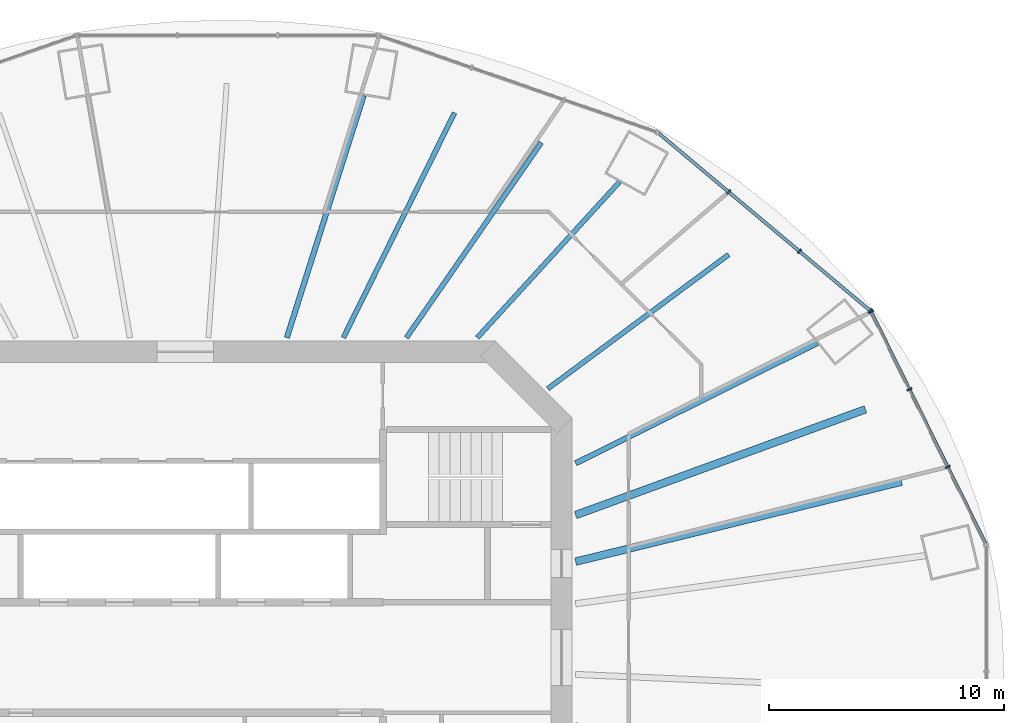
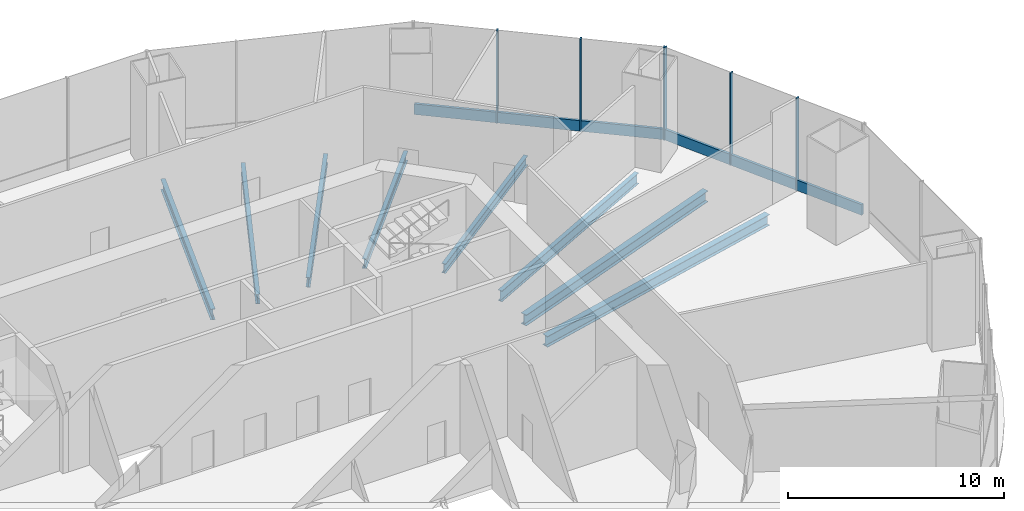
# One storey, part 6 of 15: 8 beams, 8 members, 2 elements without a shape of their own.
"""IFC4 building model written with IfcOpenShell, lengths in metres."""

from ifc_helpers import new_model, si_unit, direction, frame, origin, origin_2d, place, context, subcontext, project, spatial, rectangle, i_section, extrude, material, material_profile, profile_set, type_object, element, aggregate, save


model = new_model("IFC4")

# Units and contexts
model_context = context("Model", 3, precision=1e-05, world=origin(), true_north=direction((0.0, 1.0)))
body_context = subcontext(model_context, "Body", "Model", "MODEL_VIEW")
ifc_project = project(units=[si_unit("LENGTHUNIT", "METRE"), si_unit("AREAUNIT", "SQUARE_METRE"), si_unit("VOLUMEUNIT", "CUBIC_METRE"), si_unit("PLANEANGLEUNIT", "RADIAN"), si_unit("MASSUNIT", "GRAM", prefix="KILO")], contexts=[model_context])

# Site, building, storey
site_placement = place(None, origin())
site = spatial("IfcSite", under=ifc_project, at=site_placement, CompositionType="ELEMENT")
building_placement = place(site_placement, origin())
building = spatial("IfcBuilding", under=site, at=building_placement, Name="Marenthal Gate Tower", CompositionType="ELEMENT")
storey_placement = place(building_placement, frame((0.0, 0.0, 155.64990234375)))
storey = spatial("IfcBuildingStorey", under=building, at=storey_placement, Name="L33", CompositionType="ELEMENT", Elevation=155.64990234375)

# Curtain wall, members
ifc_material_1 = material(Name="Aluminium and glass", Category="aluminium")
curtain_wall_type = type_object("IfcCurtainWallType", Name="Curtain wall sky lobby", PredefinedType="NOTDEFINED", material=ifc_material_1)
curtain_wall_1_placement = place(storey_placement, origin())
curtain_wall_1 = element("IfcCurtainWall", 1, at=curtain_wall_1_placement, inside=storey, type_object=curtain_wall_type, Name="Curtain wall L33 bay 1", PredefinedType="NOTDEFINED")
ifc_material_2 = material(Name="Aluminium", Category="aluminium")
ifc_material_profile_1 = material_profile(ifc_material_2, rectangle(XDim=0.219970703125, YDim=0.070068359375, at=origin_2d()), Name="70x220 aluminium mullion")
ifc_profile_set_1 = profile_set([ifc_material_profile_1], Name="Aluminium")
member_type_1 = type_object("IfcMemberType", Name="Mullion 70x220 sky lobby", PredefinedType="MULLION", material=ifc_profile_set_1)
member_1_placement = place(storey_placement, frame((32.425048828125, 8.107421875, 0.0), z_axis=(0.0, 0.0, 1.0), x_axis=(-0.896608747182, -0.442823615536, 0.0)))
member_1 = element("IfcMember", 2, at=member_1_placement, type_object=member_type_1, Name="Mullion L33 bay 1.2", PredefinedType="MULLION", context=body_context, shape_type="SweptSolid", body=[
    extrude(rectangle(XDim=0.219970703125, YDim=0.070068359375, at=origin_2d()), origin(), (0.0, 0.0, 1.0), 5.22021484375),
])
member_2_placement = place(storey_placement, frame((30.79638671875, 11.40478515625, 0.0), z_axis=(0.0, 0.0, 1.0), x_axis=(-0.896608747182, -0.442823615536, 0.0)))
member_2 = element("IfcMember", 3, at=member_2_placement, type_object=member_type_1, Name="Mullion L33 bay 1.3", PredefinedType="MULLION", context=body_context, shape_type="SweptSolid", body=[
    extrude(rectangle(XDim=0.219970703125, YDim=0.070068359375, at=origin_2d()), origin(), (0.0, 0.0, 1.0), 5.22021484375),
])
member_3_placement = place(storey_placement, frame((29.167724609375, 14.702392578125, 0.0), z_axis=(0.0, 0.0, 1.0), x_axis=(-0.896608747182, -0.442823615536, 0.0)))
member_3 = element("IfcMember", 4, at=member_3_placement, type_object=member_type_1, Name="Mullion L33 bay 1.4", PredefinedType="MULLION", context=body_context, shape_type="SweptSolid", body=[
    extrude(rectangle(XDim=0.219970703125, YDim=0.070068359375, at=origin_2d()), origin(), (0.0, 0.0, 1.0), 5.22021484375),
])

curtain_wall_2_placement = place(storey_placement, origin())
curtain_wall_2 = element("IfcCurtainWall", 5, at=curtain_wall_2_placement, inside=storey, type_object=curtain_wall_type, Name="Curtain wall L33 bay 2", PredefinedType="NOTDEFINED")
member_4_placement = place(storey_placement, frame((29.131591796875, 14.74853515625, 0.0), z_axis=(0.0, 0.0, 1.0), x_axis=(-0.642602351007, -0.766199855443, 0.0)))
member_4 = element("IfcMember", 6, at=member_4_placement, type_object=member_type_1, Name="Mullion L33 bay 2.1", PredefinedType="MULLION", context=body_context, shape_type="SweptSolid", body=[
    extrude(rectangle(XDim=0.219970703125, YDim=0.070068359375, at=origin_2d()), origin(), (0.0, 0.0, 1.0), 5.22021484375),
])
member_5_placement = place(storey_placement, frame((26.121337890625, 17.273193359375, 0.0), z_axis=(0.0, 0.0, 1.0), x_axis=(-0.642602351007, -0.766199855443, 0.0)))
member_5 = element("IfcMember", 7, at=member_5_placement, type_object=member_type_1, Name="Mullion L33 bay 2.2", PredefinedType="MULLION", context=body_context, shape_type="SweptSolid", body=[
    extrude(rectangle(XDim=0.219970703125, YDim=0.070068359375, at=origin_2d()), origin(), (0.0, 0.0, 1.0), 5.22021484375),
])
member_6_placement = place(storey_placement, frame((23.11083984375, 19.7978515625, 0.0), z_axis=(0.0, 0.0, 1.0), x_axis=(-0.642602351007, -0.766199855443, 0.0)))
member_6 = element("IfcMember", 8, at=member_6_placement, type_object=member_type_1, Name="Mullion L33 bay 2.3", PredefinedType="MULLION", context=body_context, shape_type="SweptSolid", body=[
    extrude(rectangle(XDim=0.219970703125, YDim=0.070068359375, at=origin_2d()), origin(), (0.0, 0.0, 1.0), 5.22021484375),
])

# Member
ifc_material_3 = material(Name="Aluminium", Category="aluminium")
ifc_material_profile_2 = material_profile(ifc_material_3, rectangle(XDim=0.139892578125, YDim=0.60009765625, at=origin_2d()), Name="140x600 aluminium transom")
ifc_profile_set_2 = profile_set([ifc_material_profile_2], Name="Aluminium")
member_type_2 = type_object("IfcMemberType", Name="Transom 140x600 sky lobby", PredefinedType="USERDEFINED", material=ifc_profile_set_2)
member_7_placement = place(storey_placement, frame((34.0380859375, 4.841064453125, 0.300048828125), z_axis=(-0.442807939736, 0.896616489089, 0.0), x_axis=(-0.896616489089, -0.442807939736, 0.0)))
member_7 = element("IfcMember", 9, at=member_7_placement, type_object=member_type_2, Name="Transom L33 bay 1", ObjectType="TRANSOM", PredefinedType="USERDEFINED", context=body_context, shape_type="SweptSolid", body=[
    extrude(rectangle(XDim=0.139892578125, YDim=0.60009765625, at=origin_2d()), origin(), (0.0, 0.0, 1.0), 10.963623046875),
])

aggregate(curtain_wall_1, [member_1, member_2, member_3, member_7])

member_8_placement = place(storey_placement, frame((29.104736328125, 14.77099609375, 0.300048828125), z_axis=(-0.766203788169, 0.642597661835, 0.0), x_axis=(-0.642597661835, -0.766203788169, 0.0)))
member_8 = element("IfcMember", 10, at=member_8_placement, type_object=member_type_2, Name="Transom L33 bay 2", ObjectType="TRANSOM", PredefinedType="USERDEFINED", context=body_context, shape_type="SweptSolid", body=[
    extrude(rectangle(XDim=0.139892578125, YDim=0.60009765625, at=origin_2d()), origin(), (0.0, 0.0, 1.0), 11.716552734375),
])

aggregate(curtain_wall_2, [member_4, member_5, member_6, member_8])

# Beams
ifc_material_4 = material(Name="Steel S355", Category="steel")
ifc_material_profile_3 = material_profile(ifc_material_4, i_section(OverallWidth=0.2099609375, OverallDepth=0.535888671875, WebThickness=0.010986328125, FlangeThickness=0.017333984375, FilletRadius=0.0126953125, at=origin_2d()), Name="W530X101")
ifc_profile_set_3 = profile_set([ifc_material_profile_3], Name="Steel S355")
beam_type_1 = type_object("IfcBeamType", Name="W530X101 beam", PredefinedType="BEAM", material=ifc_profile_set_3)
beam_1_placement = place(storey_placement, frame((18.47216796875, 20.231201171875, -0.517822265625), z_axis=(-0.674281612892, -0.73847430999, 0.0), x_axis=(0.73847430999, -0.674281612892, 0.0)))
element("IfcBeam", 11, at=beam_1_placement, inside=storey, type_object=beam_type_1, Name="BM-L33-03", PredefinedType="BEAM", context=body_context, shape_type="SweptSolid", body=[
    extrude(i_section(OverallWidth=0.2099609375, OverallDepth=0.535888671875, WebThickness=0.010986328125, FlangeThickness=0.017333984375, FilletRadius=0.0126953125, at=origin_2d()), origin(), (0.0, 0.0, 1.0), 8.9794921875),
])
beam_2_placement = place(storey_placement, frame((23.10693359375, 17.13330078125, -0.517822265625), z_axis=(-0.803274746814, -0.595608664418, 0.0), x_axis=(0.595608664418, -0.803274746814, 0.0)))
element("IfcBeam", 12, at=beam_2_placement, inside=storey, type_object=beam_type_1, Name="BM-L33-19", PredefinedType="BEAM", context=body_context, shape_type="SweptSolid", body=[
    extrude(i_section(OverallWidth=0.2099609375, OverallDepth=0.535888671875, WebThickness=0.010986328125, FlangeThickness=0.017333984375, FilletRadius=0.0126953125, at=origin_2d()), origin(), (0.0, 0.0, 1.0), 9.5732421875),
])
ifc_material_5 = material(Name="Steel S355", Category="steel")
ifc_material_profile_4 = material_profile(ifc_material_5, i_section(OverallWidth=0.2119140625, OverallDepth=0.5439453125, WebThickness=0.01318359375, FlangeThickness=0.021240234375, FilletRadius=0.0126953125, at=origin_2d()), Name="W530X123")
ifc_profile_set_4 = profile_set([ifc_material_profile_4], Name="Steel S355")
beam_type_2 = type_object("IfcBeamType", Name="W530X123 beam", PredefinedType="BEAM", material=ifc_profile_set_4)
beam_3_placement = place(storey_placement, frame((15.14111328125, 21.895751953125, -0.52197265625), z_axis=(-0.568769347171, -0.822497069733, 0.0), x_axis=(0.822497069733, -0.568769347171, 0.0)))
element("IfcBeam", 13, at=beam_3_placement, inside=storey, type_object=beam_type_2, Name="BM-L33-20", PredefinedType="BEAM", context=body_context, shape_type="SweptSolid", body=[
    extrude(i_section(OverallWidth=0.2119140625, OverallDepth=0.5439453125, WebThickness=0.01318359375, FlangeThickness=0.021240234375, FilletRadius=0.0126953125, at=origin_2d()), origin(), (0.0, 0.0, 1.0), 10.0859375),
])
beam_4_placement = place(storey_placement, frame((11.449951171875, 23.16552734375, -0.52197265625), z_axis=(-0.443108665444, -0.896467908298, 0.0), x_axis=(0.896467908298, -0.443108665444, 0.0)))
element("IfcBeam", 14, at=beam_4_placement, inside=storey, type_object=beam_type_2, Name="BM-L33-21", PredefinedType="BEAM", context=body_context, shape_type="SweptSolid", body=[
    extrude(i_section(OverallWidth=0.2119140625, OverallDepth=0.5439453125, WebThickness=0.01318359375, FlangeThickness=0.021240234375, FilletRadius=0.0126953125, at=origin_2d()), origin(), (0.0, 0.0, 1.0), 10.670166015625),
])
ifc_material_6 = material(Name="Steel S355", Category="steel")
ifc_material_profile_5 = material_profile(ifc_material_6, i_section(OverallWidth=0.22900390625, OverallDepth=0.612060546875, WebThickness=0.011962890625, FlangeThickness=0.01953125, FilletRadius=0.0126953125, at=origin_2d()), Name="W610X125")
ifc_profile_set_5 = profile_set([ifc_material_profile_5], Name="Steel S355")
beam_type_3 = type_object("IfcBeamType", Name="W610X125 beam", PredefinedType="BEAM", material=ifc_profile_set_5)
beam_5_placement = place(storey_placement, frame((26.87841796875, 13.372802734375, -0.555908203125), z_axis=(-0.89530163663, -0.445460412886, 0.0), x_axis=(0.445460412886, -0.89530163663, 0.0)))
element("IfcBeam", 15, at=beam_5_placement, inside=storey, type_object=beam_type_3, Name="BM-L33-02", PredefinedType="BEAM", context=body_context, shape_type="SweptSolid", body=[
    extrude(i_section(OverallWidth=0.22900390625, OverallDepth=0.612060546875, WebThickness=0.011962890625, FlangeThickness=0.01953125, FilletRadius=0.0126953125, at=origin_2d()), origin(), (0.0, 0.0, 1.0), 11.480224609375),
])
beam_6_placement = place(storey_placement, frame((7.5888671875, 23.90087890625, -0.555908203125), z_axis=(-0.302634833292, -0.953106582538, 0.0), x_axis=(0.953106582538, -0.302634833292, 0.0)))
element("IfcBeam", 16, at=beam_6_placement, inside=storey, type_object=beam_type_3, Name="BM-L33-04", PredefinedType="BEAM", context=body_context, shape_type="SweptSolid", body=[
    extrude(i_section(OverallWidth=0.22900390625, OverallDepth=0.612060546875, WebThickness=0.011962890625, FlangeThickness=0.01953125, FilletRadius=0.0126953125, at=origin_2d()), origin(), (0.0, 0.0, 1.0), 10.8076171875),
])
ifc_material_7 = material(Name="Steel S355", Category="steel")
ifc_material_profile_6 = material_profile(ifc_material_7, i_section(OverallWidth=0.324951171875, OverallDepth=0.612060546875, WebThickness=0.0126953125, FlangeThickness=0.01904296875, FilletRadius=0.0126953125, at=origin_2d()), Name="W610X155")
ifc_profile_set_6 = profile_set([ifc_material_profile_6], Name="Steel S355")
beam_type_4 = type_object("IfcBeamType", Name="W610X155 beam", PredefinedType="BEAM", material=ifc_profile_set_6)
beam_7_placement = place(storey_placement, frame((30.460693359375, 7.47802734375, -0.555908203125), z_axis=(-0.971161164935, -0.238423974722, 0.0), x_axis=(0.238423974722, -0.971161164935, 0.0)))
element("IfcBeam", 17, at=beam_7_placement, inside=storey, type_object=beam_type_4, Name="BM-L33-17", PredefinedType="BEAM", context=body_context, shape_type="SweptSolid", body=[
    extrude(i_section(OverallWidth=0.324951171875, OverallDepth=0.612060546875, WebThickness=0.0126953125, FlangeThickness=0.01904296875, FilletRadius=0.0126953125, at=origin_2d()), origin(), (0.0, 0.0, 1.0), 14.272216796875),
])
beam_8_placement = place(storey_placement, frame((28.927001953125, 10.553466796875, -0.555908203125), z_axis=(-0.939430555504, -0.342739305281, 0.0), x_axis=(0.342739305281, -0.939430555504, 0.0)))
element("IfcBeam", 18, at=beam_8_placement, inside=storey, type_object=beam_type_4, Name="BM-L33-18", PredefinedType="BEAM", context=body_context, shape_type="SweptSolid", body=[
    extrude(i_section(OverallWidth=0.324951171875, OverallDepth=0.612060546875, WebThickness=0.0126953125, FlangeThickness=0.01904296875, FilletRadius=0.0126953125, at=origin_2d()), origin(), (0.0, 0.0, 1.0), 13.12158203125),
])

save(model, "model.ifc")
